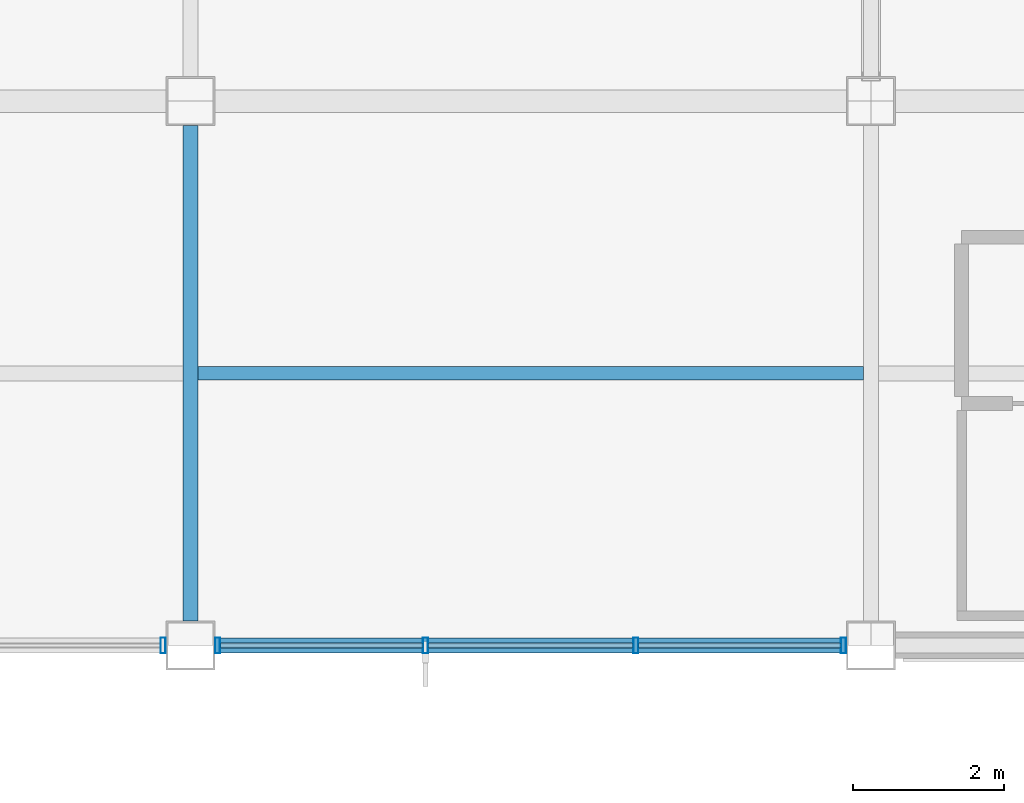
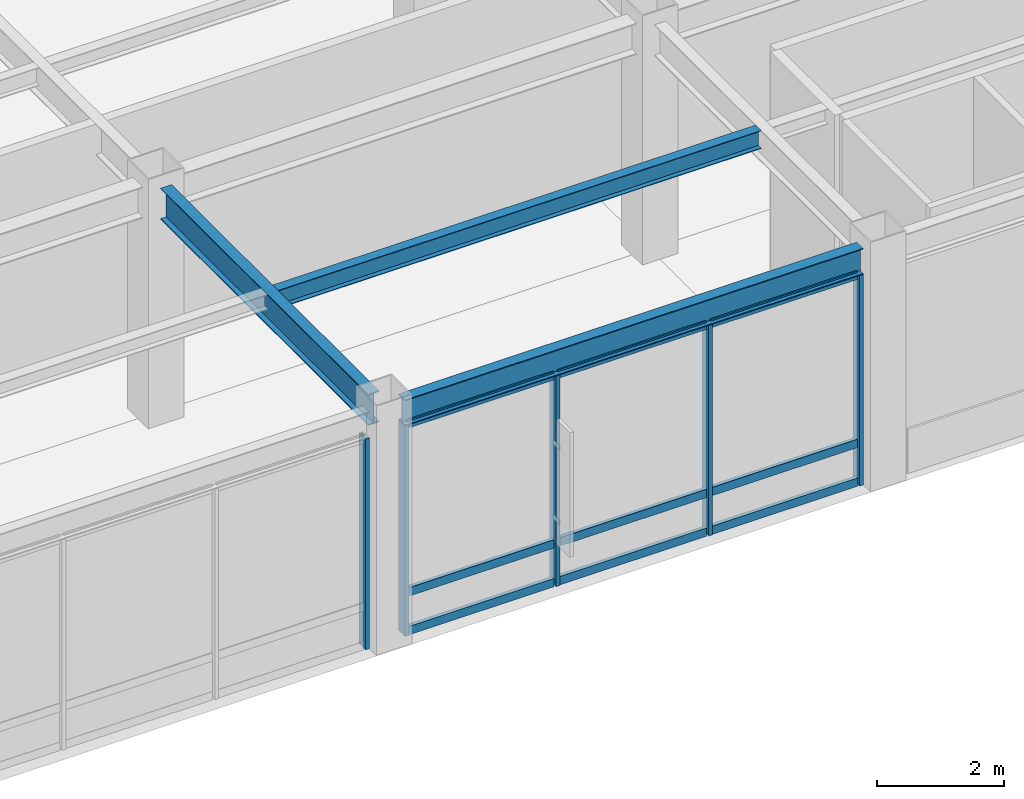
# One storey, part 60 of 112: 14 members, 3 beams, 2 elements without a shape of their own.
"""IFC4 building model written with IfcOpenShell, lengths in metres."""

from ifc_helpers import new_model, si_unit, direction, frame, origin, origin_2d, place, context, subcontext, project, spatial, hollow_rectangle, i_section, extrude, material, material_profile, profile_set, type_object, element, aggregate, save


model = new_model("IFC4")

# Units and contexts
model_context = context("Model", 3, precision=1e-05, world=origin(), true_north=direction((0.0, 1.0)))
body_context = subcontext(model_context, "Body", "Model", "MODEL_VIEW")
ifc_project = project(units=[si_unit("LENGTHUNIT", "METRE"), si_unit("AREAUNIT", "SQUARE_METRE"), si_unit("VOLUMEUNIT", "CUBIC_METRE"), si_unit("PLANEANGLEUNIT", "RADIAN"), si_unit("MASSUNIT", "GRAM", prefix="KILO")], contexts=[model_context])

# Site, building, storey
site_placement = place(None, origin())
site = spatial("IfcSite", under=ifc_project, at=site_placement, CompositionType="ELEMENT")
building_placement = place(site_placement, origin())
building = spatial("IfcBuilding", under=site, at=building_placement, Name="Kazanami Central Library", CompositionType="ELEMENT")
storey_placement = place(building_placement, origin())
storey = spatial("IfcBuildingStorey", under=building, at=storey_placement, Name="L01", CompositionType="ELEMENT", Elevation=0.0)

# Beams
ifc_material_1 = material(Name="Steel SN400B (235 MPa)", Category="steel")
ifc_material_profile_1 = material_profile(ifc_material_1, i_section(OverallWidth=0.175048828125, OverallDepth=0.35009765625, WebThickness=0.007080078125, FlangeThickness=0.010986328125, at=origin_2d()), Name="H-350x175x7x11")
ifc_profile_set_1 = profile_set([ifc_material_profile_1], Name="Steel SN400B (235 MPa)")
beam_type_1 = type_object("IfcBeamType", Name="BM-B-S2", PredefinedType="JOIST", material=ifc_profile_set_1)
beam_1_placement = place(storey_placement, frame((81.097900390625, 68.39990234375, 4.3798828125), z_axis=(1.0, 0.0, 0.0), x_axis=(0.0, 1.0, 0.0)))
element("IfcBeam", 1, at=beam_1_placement, inside=storey, type_object=beam_type_1, Name="Composite Secondary Joist B-S2 L01 Bay 10/K.1", PredefinedType="JOIST", context=body_context, shape_type="SweptSolid", body=[
    extrude(i_section(OverallWidth=0.175048828125, OverallDepth=0.35009765625, WebThickness=0.007080078125, FlangeThickness=0.010986328125, at=origin_2d()), origin(), (0.0, 0.0, 1.0), 8.80419921875),
])
ifc_material_2 = material(Name="Steel SN490B (325 MPa)", Category="steel")
ifc_material_profile_2 = material_profile(ifc_material_2, i_section(OverallWidth=0.199951171875, OverallDepth=0.60009765625, WebThickness=0.010986328125, FlangeThickness=0.01708984375, at=origin_2d()), Name="H-600x200x11x17")
ifc_profile_set_2 = profile_set([ifc_material_profile_2], Name="Steel SN490B (325 MPa)")
beam_type_2 = type_object("IfcBeamType", Name="BM-G-Y1", PredefinedType="BEAM", material=ifc_profile_set_2)
beam_2_placement = place(storey_placement, frame((81.0, 65.123046875, 4.2548828125), z_axis=(0.0, 1.0, 0.0), x_axis=(-1.0, 0.0, 0.0)))
element("IfcBeam", 2, at=beam_2_placement, inside=storey, type_object=beam_type_2, Name="Girder G-Y1 L01 10/K-L", PredefinedType="BEAM", context=body_context, shape_type="SweptSolid", body=[
    extrude(i_section(OverallWidth=0.199951171875, OverallDepth=0.60009765625, WebThickness=0.010986328125, FlangeThickness=0.01708984375, at=origin_2d()), origin(), (0.0, 0.0, 1.0), 6.553955078125),
])
ifc_material_profile_3 = material_profile(ifc_material_2, i_section(OverallWidth=0.199951171875, OverallDepth=0.5, WebThickness=0.010009765625, FlangeThickness=0.01611328125, at=origin_2d()), Name="H-500x200x10x16")
ifc_profile_set_3 = profile_set([ifc_material_profile_3], Name="Steel SN490B (325 MPa)")
beam_type_3 = type_object("IfcBeamType", Name="BM-SP-1", PredefinedType="SPANDREL", material=ifc_profile_set_3)
beam_3_placement = place(storey_placement, frame((81.322998046875, 64.800048828125, 4.304931640625), z_axis=(1.0, 0.0, 0.0), x_axis=(0.0, 1.0, 0.0)))
element("IfcBeam", 3, at=beam_3_placement, inside=storey, type_object=beam_type_3, Name="Girder SP-1 L01 K/10-11", PredefinedType="SPANDREL", context=body_context, shape_type="SweptSolid", body=[
    extrude(i_section(OverallWidth=0.199951171875, OverallDepth=0.5, WebThickness=0.010009765625, FlangeThickness=0.01611328125, at=origin_2d()), origin(), (0.0, 0.0, 1.0), 8.35400390625),
])

# Curtain wall, member
ifc_material_3 = material(Name="Acid-Etched Low-E Laminated Glass", Category="glass")
curtain_wall_type = type_object("IfcCurtainWallType", Name="CW-8350x4055-M275", PredefinedType="USERDEFINED", material=ifc_material_3)
curtain_wall_1_placement = place(storey_placement, origin())
curtain_wall_1 = element("IfcCurtainWall", 4, at=curtain_wall_1_placement, inside=storey, type_object=curtain_wall_type, Name="Unitised Curtain Wall CW-03 L01 S-K-08", ObjectType="UNITISED CURTAIN WALL", PredefinedType="USERDEFINED")
ifc_material_4 = material(Name="Anodised Aluminium A6063-T5", Category="aluminium")
ifc_material_profile_4 = material_profile(ifc_material_4, hollow_rectangle(XDim=0.070068359375, YDim=0.2099609375, WallThickness=0.0048828125, at=origin_2d()), Name="ALU-MULL-70x210x5")
ifc_profile_set_4 = profile_set([ifc_material_profile_4], Name="Anodised Aluminium A6063-T5")
member_type_1 = type_object("IfcMemberType", Name="MEM-CW-M1", PredefinedType="MULLION", material=ifc_profile_set_4)
member_1_placement = place(storey_placement, frame((80.639892578125, 64.800048828125, 0.0), z_axis=(0.0, 0.0, 1.0), x_axis=(1.0, 0.0, 0.0)))
member_1 = element("IfcMember", 5, at=member_1_placement, type_object=member_type_1, Name="CW-03 mullion 4", PredefinedType="MULLION", context=body_context, shape_type="SweptSolid", body=[
    extrude(hollow_rectangle(XDim=0.070068359375, YDim=0.2099609375, WallThickness=0.0048828125, at=origin_2d()), origin(), (0.0, 0.0, 1.0), 4.054931640625),
])
aggregate(curtain_wall_1, [member_1])

# Curtain wall, members
curtain_wall_2_placement = place(storey_placement, origin())
curtain_wall_2 = element("IfcCurtainWall", 6, at=curtain_wall_2_placement, inside=storey, type_object=curtain_wall_type, Name="Unitised Curtain Wall CW-03 L01 S-K-09", ObjectType="UNITISED CURTAIN WALL", PredefinedType="USERDEFINED")
member_2_placement = place(storey_placement, frame((81.360107421875, 64.800048828125, 0.0), z_axis=(0.0, 0.0, 1.0), x_axis=(1.0, 0.0, 0.0)))
member_2 = element("IfcMember", 7, at=member_2_placement, type_object=member_type_1, Name="CW-03 mullion 1", PredefinedType="MULLION", context=body_context, shape_type="SweptSolid", body=[
    extrude(hollow_rectangle(XDim=0.070068359375, YDim=0.2099609375, WallThickness=0.0048828125, at=origin_2d()), origin(), (0.0, 0.0, 1.0), 4.054931640625),
])
member_3_placement = place(storey_placement, frame((84.1083984375, 64.800048828125, 0.0), z_axis=(0.0, 0.0, 1.0), x_axis=(1.0, 0.0, 0.0)))
member_3 = element("IfcMember", 8, at=member_3_placement, type_object=member_type_1, Name="CW-03 mullion 2", PredefinedType="MULLION", context=body_context, shape_type="SweptSolid", body=[
    extrude(hollow_rectangle(XDim=0.070068359375, YDim=0.2099609375, WallThickness=0.0048828125, at=origin_2d()), origin(), (0.0, 0.0, 1.0), 4.054931640625),
])
member_4_placement = place(storey_placement, frame((86.8916015625, 64.800048828125, 0.0), z_axis=(0.0, 0.0, 1.0), x_axis=(1.0, 0.0, 0.0)))
member_4 = element("IfcMember", 9, at=member_4_placement, type_object=member_type_1, Name="CW-03 mullion 3", PredefinedType="MULLION", context=body_context, shape_type="SweptSolid", body=[
    extrude(hollow_rectangle(XDim=0.070068359375, YDim=0.2099609375, WallThickness=0.0048828125, at=origin_2d()), origin(), (0.0, 0.0, 1.0), 4.054931640625),
])
member_5_placement = place(storey_placement, frame((89.639892578125, 64.800048828125, 0.0), z_axis=(0.0, 0.0, 1.0), x_axis=(1.0, 0.0, 0.0)))
member_5 = element("IfcMember", 10, at=member_5_placement, type_object=member_type_1, Name="CW-03 mullion 4", PredefinedType="MULLION", context=body_context, shape_type="SweptSolid", body=[
    extrude(hollow_rectangle(XDim=0.070068359375, YDim=0.2099609375, WallThickness=0.0048828125, at=origin_2d()), origin(), (0.0, 0.0, 1.0), 4.054931640625),
])
ifc_material_profile_5 = material_profile(ifc_material_4, hollow_rectangle(XDim=0.070068359375, YDim=0.159912109375, WallThickness=0.00390625, at=origin_2d()), Name="ALU-TRAN-70x160x4")
ifc_profile_set_5 = profile_set([ifc_material_profile_5], Name="Anodised Aluminium A6063-T5")
member_type_2 = type_object("IfcMemberType", Name="MEM-CW-T1", PredefinedType="USERDEFINED", material=ifc_profile_set_5)
member_6_placement = place(storey_placement, frame((81.39501953125, 64.800048828125, 0.034912109375), z_axis=(1.0, 0.0, 0.0), x_axis=(0.0, 1.0, 0.0)))
member_6 = element("IfcMember", 11, at=member_6_placement, type_object=member_type_2, Name="CW-03 transom 1.1", ObjectType="TRANSOM", PredefinedType="USERDEFINED", context=body_context, shape_type="SweptSolid", body=[
    extrude(hollow_rectangle(XDim=0.070068359375, YDim=0.159912109375, WallThickness=0.00390625, at=origin_2d()), origin(), (0.0, 0.0, 1.0), 2.67822265625),
])
member_7_placement = place(storey_placement, frame((81.39501953125, 64.800048828125, 0.780029296875), z_axis=(1.0, 0.0, 0.0), x_axis=(0.0, 1.0, 0.0)))
member_7 = element("IfcMember", 12, at=member_7_placement, type_object=member_type_2, Name="CW-03 transom 1.2", ObjectType="TRANSOM", PredefinedType="USERDEFINED", context=body_context, shape_type="SweptSolid", body=[
    extrude(hollow_rectangle(XDim=0.070068359375, YDim=0.159912109375, WallThickness=0.00390625, at=origin_2d()), origin(), (0.0, 0.0, 1.0), 2.67822265625),
])
member_8_placement = place(storey_placement, frame((81.39501953125, 64.800048828125, 4.02001953125), z_axis=(1.0, 0.0, 0.0), x_axis=(0.0, 1.0, 0.0)))
member_8 = element("IfcMember", 13, at=member_8_placement, type_object=member_type_2, Name="CW-03 transom 1.3", ObjectType="TRANSOM", PredefinedType="USERDEFINED", context=body_context, shape_type="SweptSolid", body=[
    extrude(hollow_rectangle(XDim=0.070068359375, YDim=0.159912109375, WallThickness=0.00390625, at=origin_2d()), origin(), (0.0, 0.0, 1.0), 2.67822265625),
])
member_9_placement = place(storey_placement, frame((84.143310546875, 64.800048828125, 0.034912109375), z_axis=(1.0, 0.0, 0.0), x_axis=(0.0, 1.0, 0.0)))
member_9 = element("IfcMember", 14, at=member_9_placement, type_object=member_type_2, Name="CW-03 transom 2.1", ObjectType="TRANSOM", PredefinedType="USERDEFINED", context=body_context, shape_type="SweptSolid", body=[
    extrude(hollow_rectangle(XDim=0.070068359375, YDim=0.159912109375, WallThickness=0.00390625, at=origin_2d()), origin(), (0.0, 0.0, 1.0), 2.71337890625),
])
member_10_placement = place(storey_placement, frame((84.143310546875, 64.800048828125, 0.780029296875), z_axis=(1.0, 0.0, 0.0), x_axis=(0.0, 1.0, 0.0)))
member_10 = element("IfcMember", 15, at=member_10_placement, type_object=member_type_2, Name="CW-03 transom 2.2", ObjectType="TRANSOM", PredefinedType="USERDEFINED", context=body_context, shape_type="SweptSolid", body=[
    extrude(hollow_rectangle(XDim=0.070068359375, YDim=0.159912109375, WallThickness=0.00390625, at=origin_2d()), origin(), (0.0, 0.0, 1.0), 2.71337890625),
])
member_11_placement = place(storey_placement, frame((84.143310546875, 64.800048828125, 4.02001953125), z_axis=(1.0, 0.0, 0.0), x_axis=(0.0, 1.0, 0.0)))
member_11 = element("IfcMember", 16, at=member_11_placement, type_object=member_type_2, Name="CW-03 transom 2.3", ObjectType="TRANSOM", PredefinedType="USERDEFINED", context=body_context, shape_type="SweptSolid", body=[
    extrude(hollow_rectangle(XDim=0.070068359375, YDim=0.159912109375, WallThickness=0.00390625, at=origin_2d()), origin(), (0.0, 0.0, 1.0), 2.71337890625),
])
member_12_placement = place(storey_placement, frame((86.9267578125, 64.800048828125, 0.034912109375), z_axis=(1.0, 0.0, 0.0), x_axis=(0.0, 1.0, 0.0)))
member_12 = element("IfcMember", 17, at=member_12_placement, type_object=member_type_2, Name="CW-03 transom 3.1", ObjectType="TRANSOM", PredefinedType="USERDEFINED", context=body_context, shape_type="SweptSolid", body=[
    extrude(hollow_rectangle(XDim=0.070068359375, YDim=0.159912109375, WallThickness=0.00390625, at=origin_2d()), origin(), (0.0, 0.0, 1.0), 2.67822265625),
])
member_13_placement = place(storey_placement, frame((86.9267578125, 64.800048828125, 0.780029296875), z_axis=(1.0, 0.0, 0.0), x_axis=(0.0, 1.0, 0.0)))
member_13 = element("IfcMember", 18, at=member_13_placement, type_object=member_type_2, Name="CW-03 transom 3.2", ObjectType="TRANSOM", PredefinedType="USERDEFINED", context=body_context, shape_type="SweptSolid", body=[
    extrude(hollow_rectangle(XDim=0.070068359375, YDim=0.159912109375, WallThickness=0.00390625, at=origin_2d()), origin(), (0.0, 0.0, 1.0), 2.67822265625),
])
member_14_placement = place(storey_placement, frame((86.9267578125, 64.800048828125, 4.02001953125), z_axis=(1.0, 0.0, 0.0), x_axis=(0.0, 1.0, 0.0)))
member_14 = element("IfcMember", 19, at=member_14_placement, type_object=member_type_2, Name="CW-03 transom 3.3", ObjectType="TRANSOM", PredefinedType="USERDEFINED", context=body_context, shape_type="SweptSolid", body=[
    extrude(hollow_rectangle(XDim=0.070068359375, YDim=0.159912109375, WallThickness=0.00390625, at=origin_2d()), origin(), (0.0, 0.0, 1.0), 2.67822265625),
])
aggregate(curtain_wall_2, [member_2, member_3, member_4, member_5, member_6, member_7, member_8, member_9, member_10, member_11, member_12, member_13, member_14])

save(model, "model.ifc")
